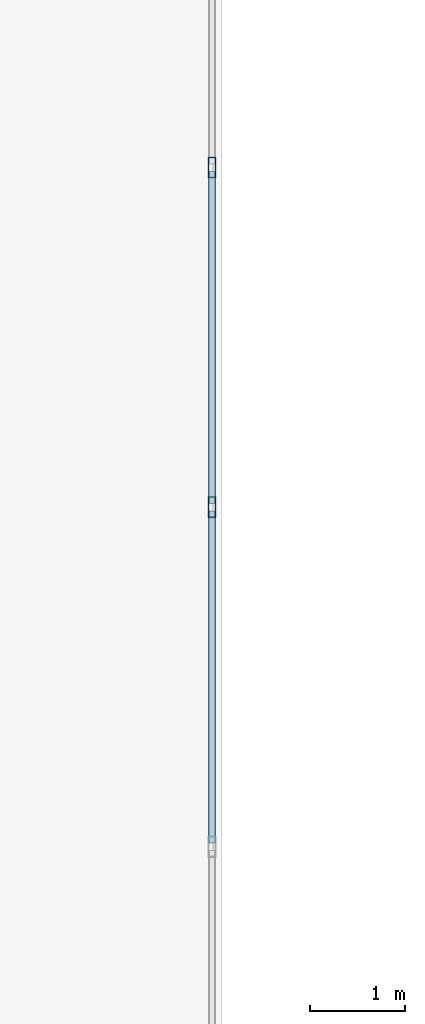
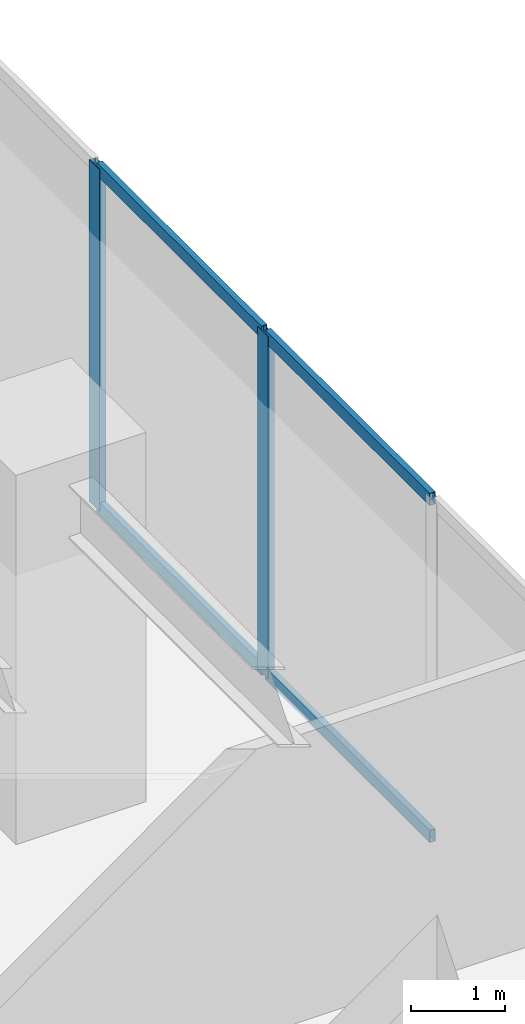
# One storey, part 14 of 33: 6 members, 1 element without a shape of its own.
"""IFC4 building model written with IfcOpenShell, lengths in metres."""

from ifc_helpers import new_model, si_unit, direction, frame, origin, origin_2d, place, context, subcontext, project, spatial, hollow_rectangle, extrude, source, transform, mapped, material, layer, layer_set, material_profile, profile_set, type_object, type_shapes, element, aggregate, save


model = new_model("IFC4")

# Units and contexts
model_context = context("Model", 3, precision=1e-05, world=origin(), true_north=direction((0.0, 1.0)))
body_context = subcontext(model_context, "Body", "Model", "MODEL_VIEW")
ifc_project = project(units=[si_unit("LENGTHUNIT", "METRE"), si_unit("AREAUNIT", "SQUARE_METRE"), si_unit("VOLUMEUNIT", "CUBIC_METRE"), si_unit("PLANEANGLEUNIT", "RADIAN"), si_unit("MASSUNIT", "GRAM", prefix="KILO")], contexts=[model_context])

# Site, building, storey
site_placement = place(None, origin())
site = spatial("IfcSite", under=ifc_project, at=site_placement, CompositionType="ELEMENT")
building_placement = place(site_placement, origin())
building = spatial("IfcBuilding", under=site, at=building_placement, Name="Haelvirn Gate Laboratories", CompositionType="ELEMENT")
storey_placement = place(building_placement, frame((0.0, 0.0, 10.199951171875)))
storey = spatial("IfcBuildingStorey", under=building, at=storey_placement, Name="L03", CompositionType="ELEMENT", Elevation=10.199951171875)

# Curtain wall, members
ifc_material_1 = material(Name="Anodised bronze unitised aluminium & triple low-E glass", Category="aluminium")
ifc_layer = layer(ifc_material_1, 0.18798828125, Name="CW-SYS-1")
ifc_layer_set = layer_set([ifc_layer], Name="Anodised bronze unitised aluminium & triple low-E glass")
curtain_wall_type = type_object("IfcCurtainWallType", Name="CW-SYS-1", PredefinedType="NOTDEFINED", material=ifc_layer_set)
curtain_wall_placement = place(storey_placement, origin())
curtain_wall = element("IfcCurtainWall", 1, at=curtain_wall_placement, inside=storey, type_object=curtain_wall_type, Name="L03 Unitised Curtain Wall CW-L03-P0-E01", PredefinedType="NOTDEFINED")
ifc_material_2 = material(Name="Extruded aluminium 6063-T6 (anodised bronze)", Category="aluminium")
ifc_material_profile_1 = material_profile(ifc_material_2, hollow_rectangle(XDim=0.070068359375, YDim=0.159912109375, WallThickness=0.0048828125, at=origin_2d()), Name="CWT-160x70x5")
ifc_profile_set_1 = profile_set([ifc_material_profile_1], Name="Extruded aluminium 6063-T6 (anodised bronze)")
member_type_1 = type_object("IfcMemberType", Name="CWT-T160", PredefinedType="USERDEFINED", material=ifc_profile_set_1)
shared_shape_1 = source(origin(), body_context, "Body", "SweptSolid", [
    extrude(hollow_rectangle(XDim=0.070068359375, YDim=0.159912109375, WallThickness=0.0048828125, at=origin_2d()), origin(), (0.0, 0.0, 1.0), 3.505615234375),
])
type_shapes(member_type_1, [shared_shape_1])
member_1_placement = place(storey_placement, frame((25.300048828125, 38.682861328125, 0.03515625), z_axis=(0.0, 1.0, 0.0), x_axis=(-1.0, 0.0, 0.0)))
member_1 = element("IfcMember", 2, at=member_1_placement, type_object=member_type_1, Name="CW1 transom 12.1", ObjectType="TRANSOM", PredefinedType="USERDEFINED", context=body_context, shape_type="MappedRepresentation", body=[
    mapped(shared_shape_1, transform((0.0, 0.0, 0.0), scale=1.0)),
])
member_2_placement = place(storey_placement, frame((25.300048828125, 38.682861328125, 4.4150390625), z_axis=(0.0, 1.0, 0.0), x_axis=(-1.0, 0.0, 0.0)))
member_2 = element("IfcMember", 3, at=member_2_placement, type_object=member_type_1, Name="CW1 transom 12.2", ObjectType="TRANSOM", PredefinedType="USERDEFINED", context=body_context, shape_type="MappedRepresentation", body=[
    mapped(shared_shape_1, transform((0.0, 0.0, 0.0), scale=1.0)),
])
member_3_placement = place(storey_placement, frame((25.300048828125, 42.2685546875, 0.03515625), z_axis=(0.0, 1.0, 0.0), x_axis=(-1.0, 0.0, 0.0)))
member_3 = element("IfcMember", 4, at=member_3_placement, type_object=member_type_1, Name="CW1 transom 13.1", ObjectType="TRANSOM", PredefinedType="USERDEFINED", context=body_context, shape_type="MappedRepresentation", body=[
    mapped(shared_shape_1, transform((0.0, 0.0, 0.0), scale=1.0)),
])
member_4_placement = place(storey_placement, frame((25.300048828125, 42.2685546875, 4.4150390625), z_axis=(0.0, 1.0, 0.0), x_axis=(-1.0, 0.0, 0.0)))
member_4 = element("IfcMember", 5, at=member_4_placement, type_object=member_type_1, Name="CW1 transom 13.2", ObjectType="TRANSOM", PredefinedType="USERDEFINED", context=body_context, shape_type="MappedRepresentation", body=[
    mapped(shared_shape_1, transform((0.0, 0.0, 0.0), scale=1.0)),
])
ifc_material_profile_2 = material_profile(ifc_material_2, hollow_rectangle(XDim=0.080078125, YDim=0.219970703125, WallThickness=0.006103515625, at=origin_2d()), Name="CWM-220x80x6")
ifc_profile_set_2 = profile_set([ifc_material_profile_2], Name="Extruded aluminium 6063-T6 (anodised bronze)")
member_type_2 = type_object("IfcMemberType", Name="CWM-T220", PredefinedType="MULLION", material=ifc_profile_set_2)
shared_shape_2 = source(origin(), body_context, "Body", "SweptSolid", [
    extrude(hollow_rectangle(XDim=0.080078125, YDim=0.219970703125, WallThickness=0.006103515625, at=origin_2d()), origin(), (0.0, 0.0, 1.0), 4.449951171875),
])
type_shapes(member_type_2, [shared_shape_2])
member_5_placement = place(storey_placement, frame((25.300048828125, 42.228515625, 0.0), z_axis=(0.0, 0.0, 1.0), x_axis=(-1.0, 0.0, 0.0)))
member_5 = element("IfcMember", 6, at=member_5_placement, type_object=member_type_2, Name="CW1 mullion 13", PredefinedType="MULLION", context=body_context, shape_type="MappedRepresentation", body=[
    mapped(shared_shape_2, transform((0.0, 0.0, 0.0), scale=1.0)),
])
member_6_placement = place(storey_placement, frame((25.300048828125, 45.814208984375, 0.0), z_axis=(0.0, 0.0, 1.0), x_axis=(-1.0, 0.0, 0.0)))
member_6 = element("IfcMember", 7, at=member_6_placement, type_object=member_type_2, Name="CW1 mullion 14", PredefinedType="MULLION", context=body_context, shape_type="MappedRepresentation", body=[
    mapped(shared_shape_2, transform((0.0, 0.0, 0.0), scale=1.0)),
])
aggregate(curtain_wall, [member_5, member_6, member_1, member_2, member_3, member_4])

save(model, "model.ifc")
